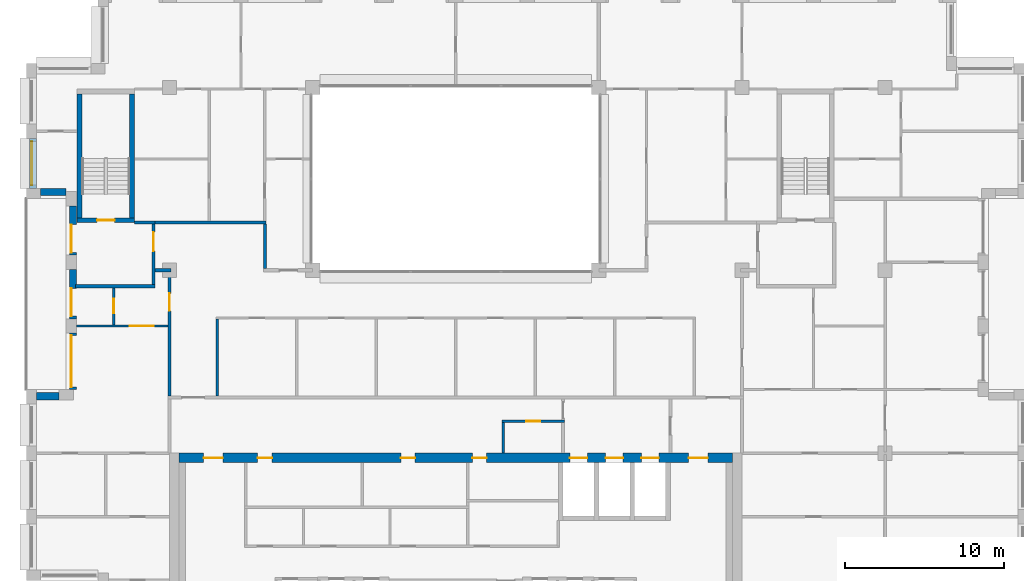
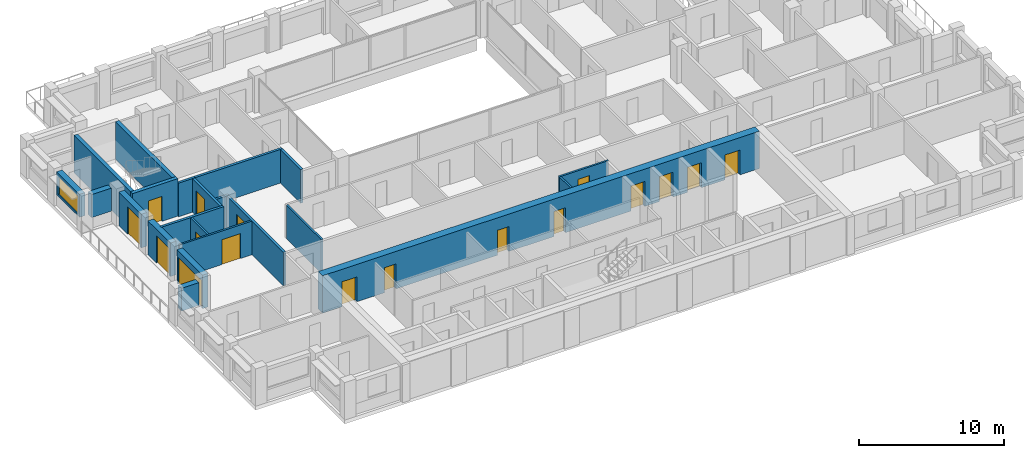
# One storey, part 9 of 15: 22 walls, 17 doors, 1 window, 18 openings.
"""IFC4 building model written with IfcOpenShell, lengths in metres."""

from ifc_helpers import new_model, si_unit, direction, frame, frame_2d, origin, place, context, subcontext, project, spatial, rectangle, extrude, material, layer, layer_set, type_object, element, fill, save


model = new_model("IFC4")

# Units and contexts
model_context = context("Model", 3, precision=1e-05, world=origin(), true_north=direction((0.0, 1.0)))
body_context = subcontext(model_context, "Body", "Model", "MODEL_VIEW")
ifc_project = project(units=[si_unit("LENGTHUNIT", "METRE"), si_unit("AREAUNIT", "SQUARE_METRE"), si_unit("VOLUMEUNIT", "CUBIC_METRE"), si_unit("PLANEANGLEUNIT", "RADIAN"), si_unit("MASSUNIT", "GRAM", prefix="KILO")], contexts=[model_context])

# Site, building, storey
site_placement = place(None, origin())
site = spatial("IfcSite", under=ifc_project, at=site_placement, CompositionType="ELEMENT")
building_placement = place(site_placement, origin())
building = spatial("IfcBuilding", under=site, at=building_placement, Name="Brigalow Station Residences", CompositionType="ELEMENT")
storey_placement = place(building_placement, frame((0.0, 0.0, 207.449951171875)))
storey = spatial("IfcBuildingStorey", under=building, at=storey_placement, Name="L59", CompositionType="ELEMENT", Elevation=207.449951171875)

# Wall, opening, window
ifc_material_1 = material(Name="Clay brick masonry", Category="masonry")
ifc_layer_1 = layer(ifc_material_1, 0.449951171875)
ifc_layer_set_1 = layer_set([ifc_layer_1], Name="BRICK INFILL WALL 450")
wall_type_1 = type_object("IfcWallType", Name="BRICK INFILL WALL 450", PredefinedType="SOLIDWALL", material=ifc_layer_set_1)
wall_1_placement = place(storey_placement, frame((9.425048828125, 32.300048828125, 0.900146484375), z_axis=(0.0, 0.0, 1.0), x_axis=(0.0, -1.0, 0.0)))
wall_1 = element("IfcWall", 1, at=wall_1_placement, inside=storey, type_object=wall_type_1, Name="L59/ewall/W-L59-35", PredefinedType="SOLIDWALL", context=body_context, shape_type="SweptSolid", body=[
    extrude(rectangle(XDim=3.150146484375, YDim=0.449951171875, at=frame_2d((1.5751953125, 0.0))), origin(), (0.0, 0.0, 1.0), 1.929931640625),
])
opening_1_placement = place(wall_1_placement, frame((0.199951171875, 0.0, 0.14990234375)))
opening_1 = element("IfcOpeningElement", 2, at=opening_1_placement, cuts=wall_1, Name="Opening WT-3", PredefinedType="OPENING", context=body_context, shape_type="SweptSolid", body=[
    extrude(rectangle(XDim=2.75, YDim=1.5, at=frame_2d((1.375, 0.75))), frame((0.0, 0.23486328125, 0.0), z_axis=(0.0, -1.0, 0.0), x_axis=(1.0, 0.0, 0.0)), (0.0, 0.0, 1.0), 0.469970703125),
])
ifc_material_2 = material(Name="Anodised aluminium frame with double glazing", Category="aluminium")
window_type = type_object("IfcWindowType", Name="WINDOW 2750x1500", PartitioningType="SINGLE_PANEL", PredefinedType="WINDOW", material=ifc_material_2)
window_placement = place(opening_1_placement, origin())
window = element("IfcWindow", 3, at=window_placement, inside=storey, type_object=window_type, Name="L59/window/W-L59-35", OverallHeight=1.5, OverallWidth=2.75, PartitioningType="SINGLE_PANEL", PredefinedType="WINDOW", context=body_context, shape_type="SweptSolid", body=[
    extrude(rectangle(XDim=2.75, YDim=1.5, at=frame_2d((1.375, 0.75))), frame((0.0, -0.06494140625, 0.0), z_axis=(0.0, -1.0, 0.0), x_axis=(1.0, 0.0, 0.0)), (0.0, 0.0, 1.0), 0.06005859375),
])
fill(opening_1, window)

# Wall
wall_2_placement = place(storey_placement, frame((9.89990234375, 28.925048828125, 0.900146484375), z_axis=(0.0, 0.0, 1.0), x_axis=(1.0, 0.0, 0.0)))
element("IfcWall", 4, at=wall_2_placement, inside=storey, type_object=wall_type_1, Name="L59/ewall/W-L59-36", PredefinedType="SOLIDWALL", context=body_context, shape_type="SweptSolid", body=[
    extrude(rectangle(XDim=1.60009765625, YDim=0.449951171875, at=frame_2d((0.800048828125, 0.0))), origin(), (0.0, 0.0, 1.0), 1.929931640625),
])

# Wall, opening, door
wall_3_placement = place(storey_placement, frame((11.925048828125, 28.050048828125, 0.0), z_axis=(0.0, 0.0, 1.0), x_axis=(0.0, -1.0, 0.0)))
wall_3 = element("IfcWall", 5, at=wall_3_placement, inside=storey, type_object=wall_type_1, Name="L59/ewall/W-L59-37", PredefinedType="SOLIDWALL", context=body_context, shape_type="SweptSolid", body=[
    extrude(rectangle(XDim=3.10009765625, YDim=0.449951171875, at=frame_2d((1.550048828125, 0.0))), origin(), (0.0, 0.0, 1.0), 2.830078125),
])
opening_2_placement = place(wall_3_placement, frame((1.18505859375, 0.0, 0.0)))
opening_2 = element("IfcOpeningElement", 6, at=opening_2_placement, cuts=wall_3, Name="Opening D-B1750", PredefinedType="OPENING", context=body_context, shape_type="SweptSolid", body=[
    extrude(rectangle(XDim=1.75, YDim=2.300048828125, at=frame_2d((0.875, 1.14990234375))), frame((0.0, 0.23486328125, 0.0), z_axis=(0.0, -1.0, 0.0), x_axis=(1.0, 0.0, 0.0)), (0.0, 0.0, 1.0), 0.469970703125),
])
ifc_material_3 = material(Name="Anodised aluminium frame with double glazing", Category="aluminium")
door_type_1 = type_object("IfcDoorType", Name="BALCONY SLIDING DOOR 1750x2300", OperationType="SLIDING_TO_LEFT", PredefinedType="DOOR", material=ifc_material_3)
door_1_placement = place(opening_2_placement, frame((1.75, -0.18994140625, 0.0), z_axis=(0.0, 0.0, 1.0), x_axis=(-1.0, 0.0, 0.0)))
door_1 = element("IfcDoor", 7, at=door_1_placement, inside=storey, type_object=door_type_1, Name="L59/balcony-door/W-L59-37", OperationType="SLIDING_TO_LEFT", OverallHeight=2.300048828125, OverallWidth=1.75, PredefinedType="DOOR", context=body_context, shape_type="SweptSolid", body=[
    extrude(rectangle(XDim=1.75, YDim=2.300048828125, at=frame_2d((0.875, 1.14990234375))), frame((0.0, -0.06982421875, 0.0), z_axis=(0.0, -1.0, 0.0), x_axis=(1.0, 0.0, 0.0)), (0.0, 0.0, 1.0), 0.050048828125),
])
fill(opening_2, door_1)

wall_4_placement = place(storey_placement, frame((11.925048828125, 24.050048828125, 0.0), z_axis=(0.0, 0.0, 1.0), x_axis=(0.0, -1.0, 0.0)))
wall_4 = element("IfcWall", 8, at=wall_4_placement, inside=storey, type_object=wall_type_1, Name="L59/ewall/W-L59-38", PredefinedType="SOLIDWALL", context=body_context, shape_type="SweptSolid", body=[
    extrude(rectangle(XDim=3.10009765625, YDim=0.449951171875, at=frame_2d((1.550048828125, 0.0))), origin(), (0.0, 0.0, 1.0), 2.830078125),
])
opening_3_placement = place(wall_4_placement, frame((1.18505859375, 0.0, 0.0)))
opening_3 = element("IfcOpeningElement", 9, at=opening_3_placement, cuts=wall_4, Name="Opening D-B1750", PredefinedType="OPENING", context=body_context, shape_type="SweptSolid", body=[
    extrude(rectangle(XDim=1.75, YDim=2.300048828125, at=frame_2d((0.875, 1.14990234375))), frame((0.0, 0.23486328125, 0.0), z_axis=(0.0, -1.0, 0.0), x_axis=(1.0, 0.0, 0.0)), (0.0, 0.0, 1.0), 0.469970703125),
])
door_2_placement = place(opening_3_placement, origin())
door_2 = element("IfcDoor", 10, at=door_2_placement, inside=storey, type_object=door_type_1, Name="L59/balcony-door/W-L59-38", OperationType="SLIDING_TO_LEFT", OverallHeight=2.300048828125, OverallWidth=1.75, PredefinedType="DOOR", context=body_context, shape_type="SweptSolid", body=[
    extrude(rectangle(XDim=1.75, YDim=2.300048828125, at=frame_2d((0.875, 1.14990234375))), frame((0.0, -0.06982421875, 0.0), z_axis=(0.0, -1.0, 0.0), x_axis=(1.0, 0.0, 0.0)), (0.0, 0.0, 1.0), 0.050048828125),
])
fill(opening_3, door_2)

wall_5_placement = place(storey_placement, frame((11.925048828125, 20.050048828125, 0.0), z_axis=(0.0, 0.0, 1.0), x_axis=(0.0, -1.0, 0.0)))
wall_5 = element("IfcWall", 11, at=wall_5_placement, inside=storey, type_object=wall_type_1, Name="L59/ewall/W-L59-39", PredefinedType="SOLIDWALL", context=body_context, shape_type="SweptSolid", body=[
    extrude(rectangle(XDim=3.550048828125, YDim=0.449951171875, at=frame_2d((1.77490234375, 0.0))), origin(), (0.0, 0.0, 1.0), 2.830078125),
])
opening_4_placement = place(wall_5_placement, frame((0.14990234375, 0.0, 0.0)))
opening_4 = element("IfcOpeningElement", 12, at=opening_4_placement, cuts=wall_5, Name="Opening D-B3250", PredefinedType="OPENING", context=body_context, shape_type="SweptSolid", body=[
    extrude(rectangle(XDim=3.25, YDim=2.300048828125, at=frame_2d((1.625, 1.14990234375))), frame((0.0, 0.23486328125, 0.0), z_axis=(0.0, -1.0, 0.0), x_axis=(1.0, 0.0, 0.0)), (0.0, 0.0, 1.0), 0.469970703125),
])
ifc_material_4 = material(Name="Anodised aluminium frame with double glazing", Category="aluminium")
door_type_2 = type_object("IfcDoorType", Name="BALCONY SLIDING DOOR 3250x2300", OperationType="SLIDING_TO_LEFT", PredefinedType="DOOR", material=ifc_material_4)
door_3_placement = place(opening_4_placement, origin())
door_3 = element("IfcDoor", 13, at=door_3_placement, inside=storey, type_object=door_type_2, Name="L59/balcony-door/W-L59-39", OperationType="SLIDING_TO_LEFT", OverallHeight=2.300048828125, OverallWidth=3.25, PredefinedType="DOOR", context=body_context, shape_type="SweptSolid", body=[
    extrude(rectangle(XDim=3.25, YDim=2.300048828125, at=frame_2d((1.625, 1.14990234375))), frame((0.0, -0.06982421875, 0.0), z_axis=(0.0, -1.0, 0.0), x_axis=(1.0, 0.0, 0.0)), (0.0, 0.0, 1.0), 0.050048828125),
])
fill(opening_4, door_3)

# Wall
wall_6_placement = place(storey_placement, frame((11.050048828125, 16.074951171875, 0.900146484375), z_axis=(0.0, 0.0, 1.0), x_axis=(-1.0, 0.0, 0.0)))
element("IfcWall", 14, at=wall_6_placement, inside=storey, type_object=wall_type_1, Name="L59/ewall/W-L59-40", PredefinedType="SOLIDWALL", context=body_context, shape_type="SweptSolid", body=[
    extrude(rectangle(XDim=1.400146484375, YDim=0.449951171875, at=frame_2d((0.7001953125, 0.0))), origin(), (0.0, 0.0, 1.0), 1.929931640625),
])

# Wall, opening, door
ifc_material_5 = material(Name="Concrete C50", Category="concrete")
ifc_layer_2 = layer(ifc_material_5, 0.300048828125)
ifc_layer_set_2 = layer_set([ifc_layer_2], Name="CORE SHEAR WALL 300 C50")
wall_type_2 = type_object("IfcWallType", Name="CORE SHEAR WALL 300 C50", PredefinedType="SHEAR", material=ifc_layer_set_2)
wall_7_placement = place(storey_placement, frame((12.199951171875, 27.14990234375, 0.0), z_axis=(0.0, 0.0, 1.0), x_axis=(1.0, 0.0, 0.0)))
wall_7 = element("IfcWall", 15, at=wall_7_placement, inside=storey, type_object=wall_type_2, Name="CORE WALL ST-S1-S L59", PredefinedType="SHEAR", context=body_context, shape_type="SweptSolid", body=[
    extrude(rectangle(XDim=3.60009765625, YDim=0.300048828125, at=frame_2d((1.800048828125, 0.0))), origin(), (0.0, 0.0, 1.0), 3.150146484375),
])
opening_5_placement = place(wall_7_placement, frame((1.25, 0.0, 0.0)))
opening_5 = element("IfcOpeningElement", 16, at=opening_5_placement, cuts=wall_7, Name="Opening D-5015", PredefinedType="OPENING", context=body_context, shape_type="SweptSolid", body=[
    extrude(rectangle(XDim=1.10009765625, YDim=2.10009765625, at=frame_2d((0.550048828125, 1.050048828125))), frame((0.0, 0.16015625, 0.0), z_axis=(0.0, -1.0, 0.0), x_axis=(1.0, 0.0, 0.0)), (0.0, 0.0, 1.0), 0.320068359375),
])
ifc_material_6 = material(Name="Steel fire door leaf in steel frame", Category="steel")
door_type_3 = type_object("IfcDoorType", Name="STAIR DOOR 1100 x 2100 FD60S", OperationType="SINGLE_SWING_LEFT", PredefinedType="DOOR", material=ifc_material_6)
door_4_placement = place(opening_5_placement, origin())
door_4 = element("IfcDoor", 17, at=door_4_placement, inside=storey, type_object=door_type_3, Name="D-5015", OperationType="SINGLE_SWING_LEFT", OverallHeight=2.10009765625, OverallWidth=1.10009765625, PredefinedType="DOOR", context=body_context, shape_type="SweptSolid", body=[
    extrude(rectangle(XDim=1.10009765625, YDim=2.10009765625, at=frame_2d((0.550048828125, 1.050048828125))), frame((0.0, 0.02490234375, 0.0), z_axis=(0.0, -1.0, 0.0), x_axis=(1.0, 0.0, 0.0)), (0.0, 0.0, 1.0), 0.050048828125),
])
fill(opening_5, door_4)

# Walls
for number, where, z_axis, x_axis, name in (
    (18, (12.35009765625, 27.300048828125, 0.0), (0.0, 0.0, 1.0), (0.0, 1.0, 0.0), "CORE WALL ST-S1-W L59"),
    (19, (15.64990234375, 27.300048828125, 0.0), (0.0, 0.0, 1.0), (0.0, 1.0, 0.0), "CORE WALL ST-S1-E L59"),
):
    element("IfcWall", number, at=place(storey_placement, frame(where, z_axis=z_axis, x_axis=x_axis)), inside=storey, type_object=wall_type_2, Name=name, PredefinedType="SHEAR", context=body_context, shape_type="SweptSolid", body=[
        extrude(rectangle(XDim=7.800048828125, YDim=0.300048828125, at=frame_2d((3.89990234375, 0.0))), origin(), (0.0, 0.0, 1.0), 3.150146484375),
    ])

# Wall, openings, doors
ifc_material_7 = material(Name="Concrete C50", Category="concrete")
ifc_layer_3 = layer(ifc_material_7, 0.60009765625)
ifc_layer_set_3 = layer_set([ifc_layer_3], Name="CORE SHEAR WALL 600 C50")
wall_type_3 = type_object("IfcWallType", Name="CORE SHEAR WALL 600 C50", PredefinedType="SHEAR", material=ifc_layer_set_3)
wall_8_placement = place(storey_placement, frame((18.60009765625, 12.199951171875, 0.0), z_axis=(0.0, 0.0, 1.0), x_axis=(1.0, 0.0, 0.0)))
wall_8 = element("IfcWall", 20, at=wall_8_placement, inside=storey, type_object=wall_type_3, Name="CORE WALL OUT-N L59", PredefinedType="SHEAR", context=body_context, shape_type="SweptSolid", body=[
    extrude(rectangle(XDim=34.7998046875, YDim=0.60009765625, at=frame_2d((17.39990234375, 0.0))), origin(), (0.0, 0.0, 1.0), 3.150146484375),
])
opening_6_placement = place(wall_8_placement, frame((24.574951171875, 0.0, 0.0)))
opening_6 = element("IfcOpeningElement", 21, at=opening_6_placement, cuts=wall_8, Name="Opening LD-LF1", PredefinedType="OPENING", context=body_context, shape_type="SweptSolid", body=[
    extrude(rectangle(XDim=1.10009765625, YDim=2.10009765625, at=frame_2d((0.550048828125, 1.050048828125))), frame((0.0, 0.31005859375, 0.0), z_axis=(0.0, -1.0, 0.0), x_axis=(1.0, 0.0, 0.0)), (0.0, 0.0, 1.0), 0.6201171875),
])
opening_7_placement = place(wall_8_placement, frame((26.824951171875, 0.0, 0.0)))
opening_7 = element("IfcOpeningElement", 22, at=opening_7_placement, cuts=wall_8, Name="Opening LD-LF2", PredefinedType="OPENING", context=body_context, shape_type="SweptSolid", body=[
    extrude(rectangle(XDim=1.10009765625, YDim=2.10009765625, at=frame_2d((0.550048828125, 1.050048828125))), frame((0.0, 0.31005859375, 0.0), z_axis=(0.0, -1.0, 0.0), x_axis=(1.0, 0.0, 0.0)), (0.0, 0.0, 1.0), 0.6201171875),
])
opening_8_placement = place(wall_8_placement, frame((29.074951171875, 0.0, 0.0)))
opening_8 = element("IfcOpeningElement", 23, at=opening_8_placement, cuts=wall_8, Name="Opening LD-LG1", PredefinedType="OPENING", context=body_context, shape_type="SweptSolid", body=[
    extrude(rectangle(XDim=1.10009765625, YDim=2.10009765625, at=frame_2d((0.550048828125, 1.050048828125))), frame((0.0, 0.31005859375, 0.0), z_axis=(0.0, -1.0, 0.0), x_axis=(1.0, 0.0, 0.0)), (0.0, 0.0, 1.0), 0.6201171875),
])
opening_9_placement = place(wall_8_placement, frame((4.949951171875, 0.0, 0.0)))
opening_9 = element("IfcOpeningElement", 24, at=opening_9_placement, cuts=wall_8, Name="Opening D-5118", PredefinedType="OPENING", context=body_context, shape_type="SweptSolid", body=[
    extrude(rectangle(XDim=0.89990234375, YDim=2.10009765625, at=frame_2d((0.449951171875, 1.050048828125))), frame((0.0, 0.31005859375, 0.0), z_axis=(0.0, -1.0, 0.0), x_axis=(1.0, 0.0, 0.0)), (0.0, 0.0, 1.0), 0.6201171875),
])
opening_10_placement = place(wall_8_placement, frame((13.949951171875, 0.0, 0.0)))
opening_10 = element("IfcOpeningElement", 25, at=opening_10_placement, cuts=wall_8, Name="Opening D-5120", PredefinedType="OPENING", context=body_context, shape_type="SweptSolid", body=[
    extrude(rectangle(XDim=0.89990234375, YDim=2.10009765625, at=frame_2d((0.449951171875, 1.050048828125))), frame((0.0, 0.31005859375, 0.0), z_axis=(0.0, -1.0, 0.0), x_axis=(1.0, 0.0, 0.0)), (0.0, 0.0, 1.0), 0.6201171875),
])
opening_11_placement = place(wall_8_placement, frame((18.449951171875, 0.0, 0.0)))
opening_11 = element("IfcOpeningElement", 26, at=opening_11_placement, cuts=wall_8, Name="Opening D-5119", PredefinedType="OPENING", context=body_context, shape_type="SweptSolid", body=[
    extrude(rectangle(XDim=0.89990234375, YDim=2.10009765625, at=frame_2d((0.449951171875, 1.050048828125))), frame((0.0, 0.31005859375, 0.0), z_axis=(0.0, -1.0, 0.0), x_axis=(1.0, 0.0, 0.0)), (0.0, 0.0, 1.0), 0.6201171875),
])
opening_12_placement = place(wall_8_placement, frame((1.550048828125, 0.0, 0.0)))
opening_12 = element("IfcOpeningElement", 27, at=opening_12_placement, cuts=wall_8, Name="Opening D-5011", PredefinedType="OPENING", context=body_context, shape_type="SweptSolid", body=[
    extrude(rectangle(XDim=1.199951171875, YDim=2.10009765625, at=frame_2d((0.60009765625, 1.050048828125))), frame((0.0, 0.31005859375, 0.0), z_axis=(0.0, -1.0, 0.0), x_axis=(1.0, 0.0, 0.0)), (0.0, 0.0, 1.0), 0.6201171875),
])
opening_13_placement = place(wall_8_placement, frame((32.050048828125, 0.0, 0.0)))
opening_13 = element("IfcOpeningElement", 28, at=opening_13_placement, cuts=wall_8, Name="Opening D-5012", PredefinedType="OPENING", context=body_context, shape_type="SweptSolid", body=[
    extrude(rectangle(XDim=1.199951171875, YDim=2.10009765625, at=frame_2d((0.60009765625, 1.050048828125))), frame((0.0, 0.31005859375, 0.0), z_axis=(0.0, -1.0, 0.0), x_axis=(1.0, 0.0, 0.0)), (0.0, 0.0, 1.0), 0.6201171875),
])
ifc_material_8 = material(Name="Steel fire door leaf in steel frame", Category="steel")
door_type_4 = type_object("IfcDoorType", Name="CORE CORRIDOR DOOR 1200 x 2100 FD60S", OperationType="SINGLE_SWING_LEFT", PredefinedType="DOOR", material=ifc_material_8)
door_5_placement = place(opening_12_placement, frame((1.199951171875, 0.0, 0.0), z_axis=(0.0, 0.0, 1.0), x_axis=(-1.0, 0.0, 0.0)))
door_5 = element("IfcDoor", 29, at=door_5_placement, inside=storey, type_object=door_type_4, Name="D-5011", OperationType="SINGLE_SWING_LEFT", OverallHeight=2.10009765625, OverallWidth=1.199951171875, PredefinedType="DOOR", context=body_context, shape_type="SweptSolid", body=[
    extrude(rectangle(XDim=1.199951171875, YDim=2.10009765625, at=frame_2d((0.60009765625, 1.050048828125))), frame((0.0, 0.02490234375, 0.0), z_axis=(0.0, -1.0, 0.0), x_axis=(1.0, 0.0, 0.0)), (0.0, 0.0, 1.0), 0.050048828125),
])
fill(opening_12, door_5)
door_6_placement = place(opening_13_placement, frame((1.199951171875, 0.0, 0.0), z_axis=(0.0, 0.0, 1.0), x_axis=(-1.0, 0.0, 0.0)))
door_6 = element("IfcDoor", 30, at=door_6_placement, inside=storey, type_object=door_type_4, Name="D-5012", OperationType="SINGLE_SWING_RIGHT", OverallHeight=2.10009765625, OverallWidth=1.199951171875, PredefinedType="DOOR", context=body_context, shape_type="SweptSolid", body=[
    extrude(rectangle(XDim=1.199951171875, YDim=2.10009765625, at=frame_2d((0.60009765625, 1.050048828125))), frame((0.0, 0.02490234375, 0.0), z_axis=(0.0, -1.0, 0.0), x_axis=(1.0, 0.0, 0.0)), (0.0, 0.0, 1.0), 0.050048828125),
])
fill(opening_13, door_6)
ifc_material_9 = material(Name="Stainless steel sliding door leaves", Category="steel")
door_type_5 = type_object("IfcDoorType", Name="LIFT LANDING DOOR 1100 x 2100", OperationType="DOUBLE_DOOR_SLIDING", PredefinedType="DOOR", material=ifc_material_9)
door_7_placement = place(opening_6_placement, origin())
door_7 = element("IfcDoor", 31, at=door_7_placement, inside=storey, type_object=door_type_5, Name="LANDING DOOR LF1", OperationType="DOUBLE_DOOR_SLIDING", OverallHeight=2.10009765625, OverallWidth=1.10009765625, PredefinedType="DOOR", context=body_context, shape_type="SweptSolid", body=[
    extrude(rectangle(XDim=1.10009765625, YDim=2.10009765625, at=frame_2d((0.550048828125, 1.050048828125))), frame((0.0, 0.02490234375, 0.0), z_axis=(0.0, -1.0, 0.0), x_axis=(1.0, 0.0, 0.0)), (0.0, 0.0, 1.0), 0.050048828125),
])
fill(opening_6, door_7)
door_8_placement = place(opening_7_placement, origin())
door_8 = element("IfcDoor", 32, at=door_8_placement, inside=storey, type_object=door_type_5, Name="LANDING DOOR LF2", OperationType="DOUBLE_DOOR_SLIDING", OverallHeight=2.10009765625, OverallWidth=1.10009765625, PredefinedType="DOOR", context=body_context, shape_type="SweptSolid", body=[
    extrude(rectangle(XDim=1.10009765625, YDim=2.10009765625, at=frame_2d((0.550048828125, 1.050048828125))), frame((0.0, 0.02490234375, 0.0), z_axis=(0.0, -1.0, 0.0), x_axis=(1.0, 0.0, 0.0)), (0.0, 0.0, 1.0), 0.050048828125),
])
fill(opening_7, door_8)
door_9_placement = place(opening_8_placement, origin())
door_9 = element("IfcDoor", 33, at=door_9_placement, inside=storey, type_object=door_type_5, Name="LANDING DOOR LG1", OperationType="DOUBLE_DOOR_SLIDING", OverallHeight=2.10009765625, OverallWidth=1.10009765625, PredefinedType="DOOR", context=body_context, shape_type="SweptSolid", body=[
    extrude(rectangle(XDim=1.10009765625, YDim=2.10009765625, at=frame_2d((0.550048828125, 1.050048828125))), frame((0.0, 0.02490234375, 0.0), z_axis=(0.0, -1.0, 0.0), x_axis=(1.0, 0.0, 0.0)), (0.0, 0.0, 1.0), 0.050048828125),
])
fill(opening_8, door_9)
ifc_material_10 = material(Name="Steel door leaf in steel frame", Category="steel")
door_type_6 = type_object("IfcDoorType", Name="SERVICE ROOM DOOR 900 x 2100 FD60", OperationType="SINGLE_SWING_LEFT", PredefinedType="DOOR", material=ifc_material_10)
door_10_placement = place(opening_9_placement, frame((0.89990234375, 0.0, 0.0), z_axis=(0.0, 0.0, 1.0), x_axis=(-1.0, 0.0, 0.0)))
door_10 = element("IfcDoor", 34, at=door_10_placement, inside=storey, type_object=door_type_6, Name="D-5118", OperationType="SINGLE_SWING_RIGHT", OverallHeight=2.10009765625, OverallWidth=0.89990234375, PredefinedType="DOOR", context=body_context, shape_type="SweptSolid", body=[
    extrude(rectangle(XDim=0.89990234375, YDim=2.10009765625, at=frame_2d((0.449951171875, 1.050048828125))), frame((0.0, 0.02490234375, 0.0), z_axis=(0.0, -1.0, 0.0), x_axis=(1.0, 0.0, 0.0)), (0.0, 0.0, 1.0), 0.050048828125),
])
fill(opening_9, door_10)
door_11_placement = place(opening_10_placement, frame((0.89990234375, 0.0, 0.0), z_axis=(0.0, 0.0, 1.0), x_axis=(-1.0, 0.0, 0.0)))
door_11 = element("IfcDoor", 35, at=door_11_placement, inside=storey, type_object=door_type_6, Name="D-5120", OperationType="SINGLE_SWING_RIGHT", OverallHeight=2.10009765625, OverallWidth=0.89990234375, PredefinedType="DOOR", context=body_context, shape_type="SweptSolid", body=[
    extrude(rectangle(XDim=0.89990234375, YDim=2.10009765625, at=frame_2d((0.449951171875, 1.050048828125))), frame((0.0, 0.02490234375, 0.0), z_axis=(0.0, -1.0, 0.0), x_axis=(1.0, 0.0, 0.0)), (0.0, 0.0, 1.0), 0.050048828125),
])
fill(opening_10, door_11)
door_12_placement = place(opening_11_placement, frame((0.89990234375, 0.0, 0.0), z_axis=(0.0, 0.0, 1.0), x_axis=(-1.0, 0.0, 0.0)))
door_12 = element("IfcDoor", 36, at=door_12_placement, inside=storey, type_object=door_type_6, Name="D-5119", OperationType="SINGLE_SWING_RIGHT", OverallHeight=2.10009765625, OverallWidth=0.89990234375, PredefinedType="DOOR", context=body_context, shape_type="SweptSolid", body=[
    extrude(rectangle(XDim=0.89990234375, YDim=2.10009765625, at=frame_2d((0.449951171875, 1.050048828125))), frame((0.0, 0.02490234375, 0.0), z_axis=(0.0, -1.0, 0.0), x_axis=(1.0, 0.0, 0.0)), (0.0, 0.0, 1.0), 0.050048828125),
])
fill(opening_11, door_12)

# Walls
ifc_material_11 = material(Name="Concrete blockwork", Category="masonry")
ifc_layer_4 = layer(ifc_material_11, 0.199951171875)
ifc_layer_set_4 = layer_set([ifc_layer_4], Name="FIRE RATED CORE PARTITION 200")
wall_type_4 = type_object("IfcWallType", Name="FIRE RATED CORE PARTITION 200", PredefinedType="PARTITIONING", material=ifc_layer_set_4)
wall_9_placement = place(storey_placement, frame((12.10009765625, 23.0, 0.0), z_axis=(0.0, 0.0, 1.0), x_axis=(1.0, 0.0, 0.0)))
element("IfcWall", 37, at=wall_9_placement, inside=storey, type_object=wall_type_4, Name="PW-5023", PredefinedType="PARTITIONING", context=body_context, shape_type="SweptSolid", body=[
    extrude(rectangle(XDim=5.0, YDim=0.199951171875, at=frame_2d((2.5, 0.0))), origin(), (0.0, 0.0, 1.0), 2.830078125),
])
wall_10_placement = place(storey_placement, frame((15.800048828125, 27.0, 0.0), z_axis=(0.0, 0.0, 1.0), x_axis=(1.0, 0.0, 0.0)))
element("IfcWall", 38, at=wall_10_placement, inside=storey, type_object=wall_type_4, Name="PW-5025", PredefinedType="PARTITIONING", context=body_context, shape_type="SweptSolid", body=[
    extrude(rectangle(XDim=1.300048828125, YDim=0.199951171875, at=frame_2d((0.64990234375, 0.0))), origin(), (0.0, 0.0, 1.0), 2.830078125),
])

# Wall, opening, door
wall_11_placement = place(storey_placement, frame((17.0, 23.10009765625, 0.0), z_axis=(0.0, 0.0, 1.0), x_axis=(0.0, 1.0, 0.0)))
wall_11 = element("IfcWall", 39, at=wall_11_placement, inside=storey, type_object=wall_type_4, Name="PW-5035", PredefinedType="PARTITIONING", context=body_context, shape_type="SweptSolid", body=[
    extrude(rectangle(XDim=3.7998046875, YDim=0.199951171875, at=frame_2d((1.89990234375, 0.0))), origin(), (0.0, 0.0, 1.0), 2.830078125),
])
opening_14_placement = place(wall_11_placement, frame((2.10009765625, 0.0, 0.0)))
opening_14 = element("IfcOpeningElement", 40, at=opening_14_placement, cuts=wall_11, Name="Opening D-5016", PredefinedType="OPENING", context=body_context, shape_type="SweptSolid", body=[
    extrude(rectangle(XDim=1.199951171875, YDim=2.10009765625, at=frame_2d((0.60009765625, 1.050048828125))), frame((0.0, 0.10986328125, 0.0), z_axis=(0.0, -1.0, 0.0), x_axis=(1.0, 0.0, 0.0)), (0.0, 0.0, 1.0), 0.219970703125),
])
ifc_material_12 = material(Name="Steel fire door leaf in steel frame", Category="steel")
door_type_7 = type_object("IfcDoorType", Name="STAIR LOBBY DOOR 1200 x 2100 FD60S", OperationType="SINGLE_SWING_LEFT", PredefinedType="DOOR", material=ifc_material_12)
door_13_placement = place(opening_14_placement, origin())
door_13 = element("IfcDoor", 41, at=door_13_placement, inside=storey, type_object=door_type_7, Name="D-5016", OperationType="SINGLE_SWING_RIGHT", OverallHeight=2.10009765625, OverallWidth=1.199951171875, PredefinedType="DOOR", context=body_context, shape_type="SweptSolid", body=[
    extrude(rectangle(XDim=1.199951171875, YDim=2.10009765625, at=frame_2d((0.60009765625, 1.050048828125))), frame((0.0, 0.02490234375, 0.0), z_axis=(0.0, -1.0, 0.0), x_axis=(1.0, 0.0, 0.0)), (0.0, 0.0, 1.0), 0.050048828125),
])
fill(opening_14, door_13)

ifc_material_13 = material(Name="Plasterboard on steel stud partition", Category="steel")
ifc_layer_5 = layer(ifc_material_13, 0.14990234375)
ifc_layer_set_5 = layer_set([ifc_layer_5], Name="FLAT PARTITION 150")
wall_type_5 = type_object("IfcWallType", Name="FLAT PARTITION 150", PredefinedType="PARTITIONING", material=ifc_layer_set_5)
wall_12_placement = place(storey_placement, frame((12.14990234375, 20.5, 0.0), z_axis=(0.0, 0.0, 1.0), x_axis=(1.0, 0.0, 0.0)))
wall_12 = element("IfcWall", 42, at=wall_12_placement, inside=storey, type_object=wall_type_5, Name="PW-4B08", PredefinedType="PARTITIONING", context=body_context, shape_type="SweptSolid", body=[
    extrude(rectangle(XDim=5.75, YDim=0.14990234375, at=frame_2d((2.875, 0.0))), origin(), (0.0, 0.0, 1.0), 2.830078125),
])
opening_15_placement = place(wall_12_placement, frame((3.35009765625, 0.0, 0.0)))
opening_15 = element("IfcOpeningElement", 43, at=opening_15_placement, cuts=wall_12, Name="Opening D-4B05", PredefinedType="OPENING", context=body_context, shape_type="SweptSolid", body=[
    extrude(rectangle(XDim=1.5, YDim=2.10009765625, at=frame_2d((0.75, 1.050048828125))), frame((0.0, 0.0849609375, 0.0), z_axis=(0.0, -1.0, 0.0), x_axis=(1.0, 0.0, 0.0)), (0.0, 0.0, 1.0), 0.169921875),
])
ifc_material_14 = material(Name="Solid-core timber door leaf", Category="wood")
door_type_8 = type_object("IfcDoorType", Name="INTERNAL DOUBLE DOOR 1500 x 2100", OperationType="DOUBLE_DOOR_SINGLE_SWING", PredefinedType="DOOR", material=ifc_material_14)
door_14_placement = place(opening_15_placement, origin())
door_14 = element("IfcDoor", 44, at=door_14_placement, inside=storey, type_object=door_type_8, Name="D-4B05", OperationType="DOUBLE_DOOR_SINGLE_SWING", OverallHeight=2.10009765625, OverallWidth=1.5, PredefinedType="DOOR", context=body_context, shape_type="SweptSolid", body=[
    extrude(rectangle(XDim=1.5, YDim=2.10009765625, at=frame_2d((0.75, 1.050048828125))), frame((0.0, 0.02490234375, 0.0), z_axis=(0.0, -1.0, 0.0), x_axis=(1.0, 0.0, 0.0)), (0.0, 0.0, 1.0), 0.050048828125),
])
fill(opening_15, door_14)

# Wall
wall_13_placement = place(storey_placement, frame((21.0, 16.10009765625, 0.0), z_axis=(0.0, 0.0, 1.0), x_axis=(0.0, 1.0, 0.0)))
element("IfcWall", 45, at=wall_13_placement, inside=storey, type_object=wall_type_5, Name="PW-4B31", PredefinedType="PARTITIONING", context=body_context, shape_type="SweptSolid", body=[
    extrude(rectangle(XDim=4.824951171875, YDim=0.14990234375, at=frame_2d((2.41259765625, 0.0))), origin(), (0.0, 0.0, 1.0), 2.830078125),
])

# Wall, opening, door
wall_14_placement = place(storey_placement, frame((14.5, 20.574951171875, 0.0), z_axis=(0.0, 0.0, 1.0), x_axis=(0.0, 1.0, 0.0)))
wall_14 = element("IfcWall", 46, at=wall_14_placement, inside=storey, type_object=wall_type_5, Name="PW-4B37", PredefinedType="PARTITIONING", context=body_context, shape_type="SweptSolid", body=[
    extrude(rectangle(XDim=2.324951171875, YDim=0.14990234375, at=frame_2d((1.16259765625, 0.0))), origin(), (0.0, 0.0, 1.0), 2.830078125),
])
opening_16_placement = place(wall_14_placement, frame((0.72509765625, 0.0, 0.0)))
opening_16 = element("IfcOpeningElement", 47, at=opening_16_placement, cuts=wall_14, Name="Opening D-4B04", PredefinedType="OPENING", context=body_context, shape_type="SweptSolid", body=[
    extrude(rectangle(XDim=0.89990234375, YDim=2.10009765625, at=frame_2d((0.449951171875, 1.050048828125))), frame((0.0, 0.0849609375, 0.0), z_axis=(0.0, -1.0, 0.0), x_axis=(1.0, 0.0, 0.0)), (0.0, 0.0, 1.0), 0.169921875),
])
ifc_material_15 = material(Name="Solid-core timber door leaf", Category="wood")
door_type_9 = type_object("IfcDoorType", Name="INTERNAL DOOR 900 x 2100", OperationType="SINGLE_SWING_LEFT", PredefinedType="DOOR", material=ifc_material_15)
door_15_placement = place(opening_16_placement, origin())
door_15 = element("IfcDoor", 48, at=door_15_placement, inside=storey, type_object=door_type_9, Name="D-4B04", OperationType="SINGLE_SWING_RIGHT", OverallHeight=2.10009765625, OverallWidth=0.89990234375, PredefinedType="DOOR", context=body_context, shape_type="SweptSolid", body=[
    extrude(rectangle(XDim=0.89990234375, YDim=2.10009765625, at=frame_2d((0.449951171875, 1.050048828125))), frame((0.0, 0.02490234375, 0.0), z_axis=(0.0, -1.0, 0.0), x_axis=(1.0, 0.0, 0.0)), (0.0, 0.0, 1.0), 0.050048828125),
])
fill(opening_16, door_15)

# Walls
ifc_material_16 = material(Name="Plasterboard on steel stud partition", Category="steel")
ifc_layer_6 = layer(ifc_material_16, 0.199951171875)
ifc_layer_set_6 = layer_set([ifc_layer_6], Name="PARTY AND CORRIDOR WALL 200")
wall_type_6 = type_object("IfcWallType", Name="PARTY AND CORRIDOR WALL 200", PredefinedType="PARTITIONING", material=ifc_layer_set_6)
wall_15_placement = place(storey_placement, frame((17.10009765625, 24.0, 0.0), z_axis=(0.0, 0.0, 1.0), x_axis=(1.0, 0.0, 0.0)))
element("IfcWall", 49, at=wall_15_placement, inside=storey, type_object=wall_type_6, Name="PW-4B01", PredefinedType="PARTITIONING", context=body_context, shape_type="SweptSolid", body=[
    extrude(rectangle(XDim=1.0, YDim=0.199951171875, at=frame_2d((0.5, 0.0))), origin(), (0.0, 0.0, 1.0), 2.830078125),
])
wall_16_placement = place(storey_placement, frame((17.10009765625, 27.0, 0.0), z_axis=(0.0, 0.0, 1.0), x_axis=(1.0, 0.0, 0.0)))
element("IfcWall", 50, at=wall_16_placement, inside=storey, type_object=wall_type_6, Name="PW-4B06", PredefinedType="PARTITIONING", context=body_context, shape_type="SweptSolid", body=[
    extrude(rectangle(XDim=6.974853515625, YDim=0.199951171875, at=frame_2d((3.4873046875, 0.0))), origin(), (0.0, 0.0, 1.0), 2.830078125),
])

# Wall, opening, door
wall_17_placement = place(storey_placement, frame((18.0, 16.10009765625, 0.0), z_axis=(0.0, 0.0, 1.0), x_axis=(0.0, 1.0, 0.0)))
wall_17 = element("IfcWall", 51, at=wall_17_placement, inside=storey, type_object=wall_type_6, Name="PW-4B28", PredefinedType="PARTITIONING", context=body_context, shape_type="SweptSolid", body=[
    extrude(rectangle(XDim=7.7998046875, YDim=0.199951171875, at=frame_2d((3.89990234375, 0.0))), origin(), (0.0, 0.0, 1.0), 2.830078125),
])
opening_17_placement = place(wall_17_placement, frame((5.35009765625, 0.0, 0.0)))
opening_17 = element("IfcOpeningElement", 52, at=opening_17_placement, cuts=wall_17, Name="Opening D-4B03", PredefinedType="OPENING", context=body_context, shape_type="SweptSolid", body=[
    extrude(rectangle(XDim=1.10009765625, YDim=2.10009765625, at=frame_2d((0.550048828125, 1.050048828125))), frame((0.0, 0.10986328125, 0.0), z_axis=(0.0, -1.0, 0.0), x_axis=(1.0, 0.0, 0.0)), (0.0, 0.0, 1.0), 0.219970703125),
])
ifc_material_17 = material(Name="Solid-core timber door leaf", Category="wood")
door_type_10 = type_object("IfcDoorType", Name="FLAT ENTRANCE DOOR 1100 x 2100 FRL -/60/30", OperationType="SINGLE_SWING_LEFT", PredefinedType="DOOR", material=ifc_material_17)
door_16_placement = place(opening_17_placement, origin())
door_16 = element("IfcDoor", 53, at=door_16_placement, inside=storey, type_object=door_type_10, Name="D-4B03", OperationType="SINGLE_SWING_LEFT", OverallHeight=2.10009765625, OverallWidth=1.10009765625, PredefinedType="DOOR", context=body_context, shape_type="SweptSolid", body=[
    extrude(rectangle(XDim=1.10009765625, YDim=2.10009765625, at=frame_2d((0.550048828125, 1.050048828125))), frame((0.0, 0.02490234375, 0.0), z_axis=(0.0, -1.0, 0.0), x_axis=(1.0, 0.0, 0.0)), (0.0, 0.0, 1.0), 0.050048828125),
])
fill(opening_17, door_16)

# Wall
wall_18_placement = place(storey_placement, frame((24.0, 24.10009765625, 0.0), z_axis=(0.0, 0.0, 1.0), x_axis=(0.0, 1.0, 0.0)))
element("IfcWall", 54, at=wall_18_placement, inside=storey, type_object=wall_type_6, Name="PW-4B34", PredefinedType="PARTITIONING", context=body_context, shape_type="SweptSolid", body=[
    extrude(rectangle(XDim=2.7998046875, YDim=0.199951171875, at=frame_2d((1.39990234375, 0.0))), origin(), (0.0, 0.0, 1.0), 2.830078125),
])

# Wall, opening, door
ifc_material_18 = material(Name="Plasterboard on steel studs", Category="steel")
ifc_layer_7 = layer(ifc_material_18, 0.14990234375)
ifc_layer_set_7 = layer_set([ifc_layer_7], Name="SERVICE ROOM PARTITION 150")
wall_type_7 = type_object("IfcWallType", Name="SERVICE ROOM PARTITION 150", PredefinedType="PARTITIONING", material=ifc_layer_set_7)
wall_19_placement = place(storey_placement, frame((38.925048828125, 14.5, 0.0), z_axis=(0.0, 0.0, 1.0), x_axis=(1.0, 0.0, 0.0)))
wall_19 = element("IfcWall", 55, at=wall_19_placement, inside=storey, type_object=wall_type_7, Name="PW-5129", PredefinedType="PARTITIONING", context=body_context, shape_type="SweptSolid", body=[
    extrude(rectangle(XDim=3.925048828125, YDim=0.14990234375, at=frame_2d((1.96240234375, 0.0))), origin(), (0.0, 0.0, 1.0), 2.830078125),
])
opening_18_placement = place(wall_19_placement, frame((1.5, 0.0, 0.0)))
opening_18 = element("IfcOpeningElement", 56, at=opening_18_placement, cuts=wall_19, Name="Opening D-5076", PredefinedType="OPENING", context=body_context, shape_type="SweptSolid", body=[
    extrude(rectangle(XDim=0.89990234375, YDim=2.10009765625, at=frame_2d((0.449951171875, 1.050048828125))), frame((0.0, 0.0849609375, 0.0), z_axis=(0.0, -1.0, 0.0), x_axis=(1.0, 0.0, 0.0)), (0.0, 0.0, 1.0), 0.169921875),
])
door_17_placement = place(opening_18_placement, frame((0.89990234375, 0.0, 0.0), z_axis=(0.0, 0.0, 1.0), x_axis=(-1.0, 0.0, 0.0)))
door_17 = element("IfcDoor", 57, at=door_17_placement, inside=storey, type_object=door_type_6, Name="D-5076", OperationType="SINGLE_SWING_LEFT", OverallHeight=2.10009765625, OverallWidth=0.89990234375, PredefinedType="DOOR", context=body_context, shape_type="SweptSolid", body=[
    extrude(rectangle(XDim=0.89990234375, YDim=2.10009765625, at=frame_2d((0.449951171875, 1.050048828125))), frame((0.0, 0.02490234375, 0.0), z_axis=(0.0, -1.0, 0.0), x_axis=(1.0, 0.0, 0.0)), (0.0, 0.0, 1.0), 0.050048828125),
])
fill(opening_18, door_17)

# Wall
wall_20_placement = place(storey_placement, frame((39.0, 12.5, 0.0), z_axis=(0.0, 0.0, 1.0), x_axis=(0.0, 1.0, 0.0)))
element("IfcWall", 58, at=wall_20_placement, inside=storey, type_object=wall_type_7, Name="PW-5136", PredefinedType="PARTITIONING", context=body_context, shape_type="SweptSolid", body=[
    extrude(rectangle(XDim=1.925048828125, YDim=0.14990234375, at=frame_2d((0.96240234375, 0.0))), origin(), (0.0, 0.0, 1.0), 2.830078125),
])

save(model, "model.ifc")
